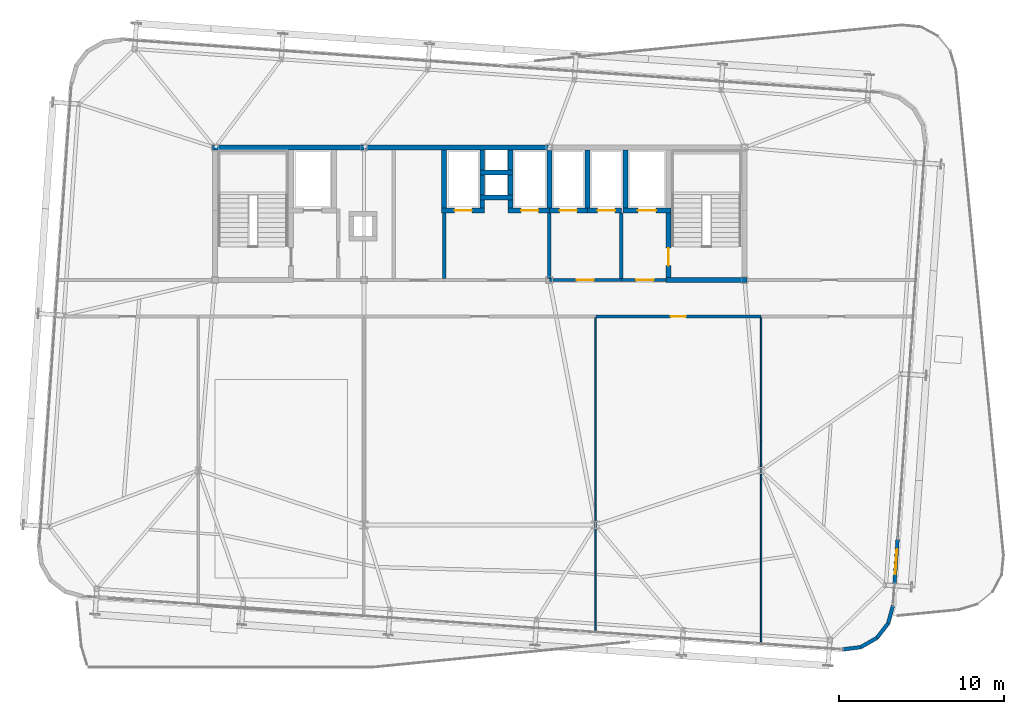
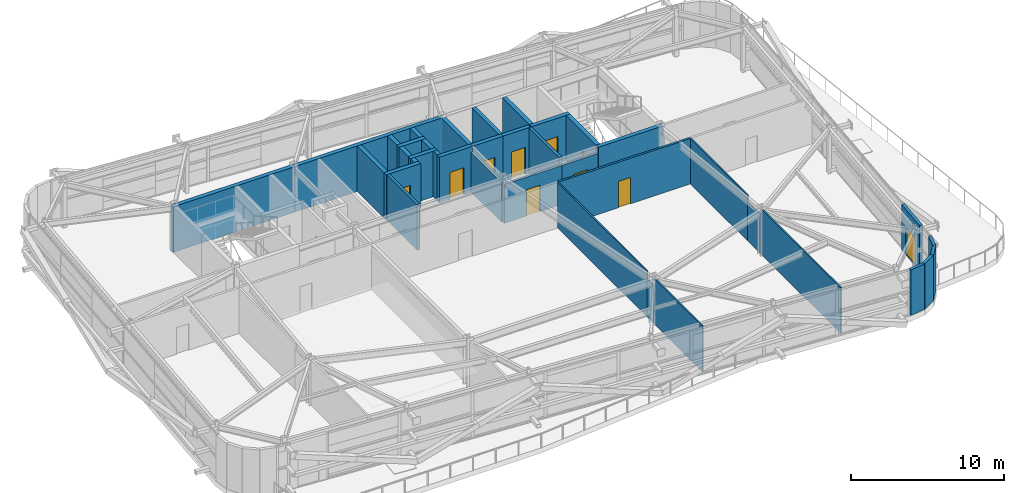
# One storey, part 32 of 36: 38 walls, 10 doors, 10 openings.
"""IFC4 building model written with IfcOpenShell, lengths in metres."""

from ifc_helpers import new_model, si_unit, direction, frame, frame_2d, origin, place, context, subcontext, project, spatial, rectangle, extrude, source, transform, mapped, material, layer, layer_set, type_object, element, fill, save


model = new_model("IFC4")

# Units and contexts
model_context = context("Model", 3, precision=1e-05, world=origin(), true_north=direction((0.0, 1.0)))
body_context = subcontext(model_context, "Body", "Model", "MODEL_VIEW")
ifc_project = project(units=[si_unit("LENGTHUNIT", "METRE"), si_unit("AREAUNIT", "SQUARE_METRE"), si_unit("VOLUMEUNIT", "CUBIC_METRE"), si_unit("PLANEANGLEUNIT", "RADIAN"), si_unit("MASSUNIT", "GRAM", prefix="KILO")], contexts=[model_context])

# Site, building, storey
site_placement = place(None, origin())
site = spatial("IfcSite", under=ifc_project, at=site_placement, CompositionType="ELEMENT")
building_placement = place(site_placement, origin())
building = spatial("IfcBuilding", under=site, at=building_placement, Name="Taldren Reach Tower", CompositionType="ELEMENT")
storey_placement = place(building_placement, frame((0.0, 0.0, 116.550048828125)))
storey = spatial("IfcBuildingStorey", under=building, at=storey_placement, Name="L35", CompositionType="ELEMENT", Elevation=116.550048828125)

# Walls
ifc_material_1 = material(Name="Pale Champagne Anodised Aluminium Cladding", Category="aluminium")
ifc_layer_1 = layer(ifc_material_1, 0.04, Name="Pale Champagne Anodised Aluminium Cladding", Category="aluminium")
ifc_material_2 = material(Name="Mineral Wool Acoustic Insulation", Category="insulation")
ifc_layer_2 = layer(ifc_material_2, 0.06, Name="Mineral Wool Acoustic Insulation", Category="insulation")
ifc_material_3 = material(Name="Steel Gr 350 (C350L0)", Category="steel")
ifc_layer_3 = layer(ifc_material_3, 0.12, Name="Steel Gr 350 (C350L0)", Category="steel")
ifc_layer_set_1 = layer_set([ifc_layer_1, ifc_layer_2, ifc_layer_3], Name="Pale Champagne Aluminium Cladding and Steel Gr 350 Stud Framing")
wall_type_1 = type_object("IfcWallType", Name="EW-CRN-220", PredefinedType="SOLIDWALL", material=ifc_layer_set_1)
shared_shape_1 = source(origin(), body_context, "Body", "SweptSolid", [
    extrude(rectangle(XDim=1.11572265625, YDim=0.219970703125, at=frame_2d((0.557861328125, 0.0))), origin(), (0.0, 0.0, 1.0), 3.6298828125),
])
wall_1_placement = place(storey_placement, frame((56.91796875, 1.6767578125, 0.0), z_axis=(0.0, 0.0, 1.0), x_axis=(0.99202678349, 0.126027222605, 0.0)))
element("IfcWall", 1, at=wall_1_placement, inside=storey, type_object=wall_type_1, Name="Rounded-corner pale-metal facade wall L35-SE1", PredefinedType="SOLIDWALL", context=body_context, shape_type="MappedRepresentation", body=[
    mapped(shared_shape_1, transform((0.0, 0.0, 0.0), scale=1.0)),
])
shared_shape_2 = source(origin(), body_context, "Body", "SweptSolid", [
    extrude(rectangle(XDim=1.115966796875, YDim=0.219970703125, at=frame_2d((0.55810546875, 0.0))), origin(), (0.0, 0.0, 1.0), 3.6298828125),
])
for number, where, z_axis, x_axis, name in (
    (2, (58.02490234375, 1.8173828125, 0.0), (0.0, 0.0, 1.0), (0.868095010314, 0.496398079235, 0.0), "Rounded-corner pale-metal facade wall L35-SE2"),
    (3, (58.99365234375, 2.371337890625, 0.0), (0.0, 0.0, 1.0), (0.612318787668, 0.790610967714, 0.0), "Rounded-corner pale-metal facade wall L35-SE3"),
    (4, (59.677001953125, 3.253662109375, 0.0), (0.0, 0.0, 1.0), (0.262969307856, 0.964804199372, 0.0), "Rounded-corner pale-metal facade wall L35-SE4"),
):
    element("IfcWall", number, at=place(storey_placement, frame(where, z_axis=z_axis, x_axis=x_axis)), inside=storey, type_object=wall_type_1, Name=name, PredefinedType="SOLIDWALL", context=body_context, shape_type="MappedRepresentation", body=[
        mapped(shared_shape_2, transform((0.0, 0.0, 0.0), scale=1.0)),
    ])

# Wall, opening, door
shared_shape_3 = source(origin(), body_context, "Body", "SweptSolid", [
    extrude(rectangle(XDim=2.699951171875, YDim=0.219970703125, at=frame_2d((1.35009765625, 0.0))), origin(), (0.0, 0.0, 1.0), 3.6298828125),
])
wall_2_placement = place(storey_placement, frame((60.061767578125, 5.636962890625, 0.0), z_axis=(0.0, 0.0, 1.0), x_axis=(0.069807531681, 0.997560478628, 0.0)))
wall_2 = element("IfcWall", 5, at=wall_2_placement, inside=storey, type_object=wall_type_1, Name="Terrace threshold facade wall L35-E1", PredefinedType="SOLIDWALL", context=body_context, shape_type="MappedRepresentation", body=[
    mapped(shared_shape_3, transform((0.0, 0.0, 0.0), scale=1.0)),
])
shared_shape_4 = source(origin(), body_context, "Body", "SweptSolid", [
    extrude(rectangle(XDim=1.5, YDim=2.199951171875, at=frame_2d((0.75, 1.10009765625))), frame((0.0, 0.1201171875, 0.0), z_axis=(0.0, -1.0, 0.0), x_axis=(1.0, 0.0, 0.0)), (0.0, 0.0, 1.0), 0.239990234375),
])
opening_1_placement = place(wall_2_placement, frame((0.60009765625, 0.0, 0.0)))
opening_1 = element("IfcOpeningElement", 6, at=opening_1_placement, cuts=wall_2, Name="Opening ED-150", PredefinedType="OPENING", context=body_context, shape_type="MappedRepresentation", body=[
    mapped(shared_shape_4, transform((0.0, 0.0, 0.0), scale=1.0)),
])
ifc_material_4 = material(Name="Weatherproof Glazed Terrace Door")
door_type_1 = type_object("IfcDoorType", Name="ED-TERR-1500", OperationType="DOUBLE_DOOR_SINGLE_SWING", PredefinedType="DOOR", material=ifc_material_4)
shared_shape_5 = source(origin(), body_context, "Body", "SweptSolid", [
    extrude(rectangle(XDim=1.5, YDim=2.199951171875, at=frame_2d((0.75, 1.10009765625))), frame((0.0, 0.02490234375, 0.0), z_axis=(0.0, -1.0, 0.0), x_axis=(1.0, 0.0, 0.0)), (0.0, 0.0, 1.0), 0.050048828125),
])
door_1_placement = place(opening_1_placement, frame((1.5, 0.0, 0.0), z_axis=(0.0, 0.0, 1.0), x_axis=(-1.0, 0.0, 0.0)))
door_1 = element("IfcDoor", 7, at=door_1_placement, inside=storey, type_object=door_type_1, Name="Setback terrace access door ED-TERR-L35-E1", OperationType="DOUBLE_DOOR_SINGLE_SWING", OverallHeight=2.199951171875, OverallWidth=1.5, PredefinedType="DOOR", context=body_context, shape_type="MappedRepresentation", body=[
    mapped(shared_shape_5, transform((0.0, 0.0, 0.0), scale=1.0)),
])
fill(opening_1, door_1)

# Walls
ifc_material_5 = material(Name="Concrete S65 (65 MPa)", Category="concrete")
ifc_layer_4 = layer(ifc_material_5, 0.300048828125)
ifc_layer_set_2 = layer_set([ifc_layer_4], Name="Concrete S65 (65 MPa)")
wall_type_2 = type_object("IfcWallType", Name="IW-CORE-300", PredefinedType="SHEAR", material=ifc_layer_set_2)
shared_shape_6 = source(origin(), body_context, "Body", "SweptSolid", [
    extrude(rectangle(XDim=9.14990234375, YDim=0.300048828125, at=frame_2d((4.574951171875, 0.0))), origin(), (0.0, 0.0, 1.0), 3.6298828125),
])
wall_3_placement = place(storey_placement, frame((18.85009765625, 32.0, 0.0), z_axis=(0.0, 0.0, 1.0), x_axis=(1.0, 0.0, 0.0)))
element("IfcWall", 8, at=wall_3_placement, inside=storey, type_object=wall_type_2, Name="Rear Core Shear Wall W-CORE-L35-NORTH1", PredefinedType="SHEAR", context=body_context, shape_type="MappedRepresentation", body=[
    mapped(shared_shape_6, transform((0.0, 0.0, 0.0), scale=1.0)),
])
shared_shape_7 = source(origin(), body_context, "Body", "SweptSolid", [
    extrude(rectangle(XDim=11.199951171875, YDim=0.300048828125, at=frame_2d((5.60009765625, 0.0))), origin(), (0.0, 0.0, 1.0), 3.6298828125),
])
wall_4_placement = place(storey_placement, frame((28.0, 32.0, 0.0), z_axis=(0.0, 0.0, 1.0), x_axis=(1.0, 0.0, 0.0)))
element("IfcWall", 9, at=wall_4_placement, inside=storey, type_object=wall_type_2, Name="Rear Core Shear Wall W-CORE-L35-NORTH2", PredefinedType="SHEAR", context=body_context, shape_type="MappedRepresentation", body=[
    mapped(shared_shape_7, transform((0.0, 0.0, 0.0), scale=1.0)),
])
shared_shape_8 = source(origin(), body_context, "Body", "SweptSolid", [
    extrude(rectangle(XDim=3.5, YDim=0.300048828125, at=frame_2d((1.75, 0.0))), origin(), (0.0, 0.0, 1.0), 3.6298828125),
])
for number, where, z_axis, x_axis, name in (
    (10, (43.800048828125, 31.85009765625, 0.0), (0.0, 0.0, 1.0), (0.0, -1.0, 0.0), "Rear Core Shear Wall W-INT-L35-012"),
    (11, (32.85009765625, 31.85009765625, 0.0), (0.0, 0.0, 1.0), (0.0, -1.0, 0.0), "Rear Core Shear Wall W-INT-L35-027"),
    (12, (39.199951171875, 28.35009765625, 0.0), (0.0, 0.0, 1.0), (0.0, 1.0, 0.0), "Rear Core Shear Wall W-INT-L35-030"),
    (13, (41.5, 28.35009765625, 0.0), (0.0, 0.0, 1.0), (0.0, 1.0, 0.0), "Rear Core Shear Wall W-INT-L35-034"),
):
    element("IfcWall", number, at=place(storey_placement, frame(where, z_axis=z_axis, x_axis=x_axis)), inside=storey, type_object=wall_type_2, Name=name, PredefinedType="SHEAR", context=body_context, shape_type="MappedRepresentation", body=[
        mapped(shared_shape_8, transform((0.0, 0.0, 0.0), scale=1.0)),
    ])

# Wall, opening, door
shared_shape_9 = source(origin(), body_context, "Body", "SweptSolid", [
    extrude(rectangle(XDim=3.900146484375, YDim=0.300048828125, at=frame_2d((1.9501953125, 0.0))), origin(), (0.0, 0.0, 1.0), 3.6298828125),
])
wall_5_placement = place(storey_placement, frame((46.39990234375, 28.050048828125, 0.0), z_axis=(0.0, 0.0, 1.0), x_axis=(0.0, -1.0, 0.0)))
wall_5 = element("IfcWall", 14, at=wall_5_placement, inside=storey, type_object=wall_type_2, Name="Rear Core Shear Wall W-INT-L35-009", PredefinedType="SHEAR", context=body_context, shape_type="MappedRepresentation", body=[
    mapped(shared_shape_9, transform((0.0, 0.0, 0.0), scale=1.0)),
])
shared_shape_10 = source(origin(), body_context, "Body", "SweptSolid", [
    extrude(rectangle(XDim=1.050048828125, YDim=2.10009765625, at=frame_2d((0.52490234375, 1.050048828125))), frame((0.0, 0.16015625, 0.0), z_axis=(0.0, -1.0, 0.0), x_axis=(1.0, 0.0, 0.0)), (0.0, 0.0, 1.0), 0.320068359375),
])
opening_2_placement = place(wall_5_placement, frame((2.125, 0.0, 0.0)))
opening_2 = element("IfcOpeningElement", 15, at=opening_2_placement, cuts=wall_5, Name="Opening DF-105", PredefinedType="OPENING", context=body_context, shape_type="MappedRepresentation", body=[
    mapped(shared_shape_10, transform((0.0, 0.0, 0.0), scale=1.0)),
])
ifc_material_6 = material(Name="Fire-Rated Care and Stair Exit Door")
door_type_2 = type_object("IfcDoorType", Name="ID-FIRE-105", OperationType="NOTDEFINED", PredefinedType="DOOR", material=ifc_material_6)
shared_shape_11 = source(origin(), body_context, "Body", "SweptSolid", [
    extrude(rectangle(XDim=1.050048828125, YDim=2.10009765625, at=frame_2d((0.52490234375, 1.050048828125))), frame((0.0, 0.02490234375, 0.0), z_axis=(0.0, -1.0, 0.0), x_axis=(1.0, 0.0, 0.0)), (0.0, 0.0, 1.0), 0.050048828125),
])
door_2_placement = place(opening_2_placement, origin())
door_2 = element("IfcDoor", 16, at=door_2_placement, inside=storey, type_object=door_type_2, Name="Fire Exit Stair Door DR-L35-003", OperationType="SINGLE_SWING_RIGHT", OverallHeight=2.10009765625, OverallWidth=1.050048828125, PredefinedType="DOOR", context=body_context, shape_type="MappedRepresentation", body=[
    mapped(shared_shape_11, transform((0.0, 0.0, 0.0), scale=1.0)),
])
fill(opening_2, door_2)

# Wall
shared_shape_12 = source(origin(), body_context, "Body", "SweptSolid", [
    extrude(rectangle(XDim=4.89990234375, YDim=0.300048828125, at=frame_2d((2.449951171875, 0.0))), origin(), (0.0, 0.0, 1.0), 3.6298828125),
])
wall_6_placement = place(storey_placement, frame((46.25, 24.0, 0.0), z_axis=(0.0, 0.0, 1.0), x_axis=(1.0, 0.0, 0.0)))
element("IfcWall", 17, at=wall_6_placement, inside=storey, type_object=wall_type_2, Name="Rear Core Shear Wall W-INT-L35-010", PredefinedType="SHEAR", context=body_context, shape_type="MappedRepresentation", body=[
    mapped(shared_shape_12, transform((0.0, 0.0, 0.0), scale=1.0)),
])

# Wall, opening, door
shared_shape_13 = source(origin(), body_context, "Body", "SweptSolid", [
    extrude(rectangle(XDim=2.900146484375, YDim=0.300048828125, at=frame_2d((1.4501953125, 0.0))), origin(), (0.0, 0.0, 1.0), 3.6298828125),
])
wall_7_placement = place(storey_placement, frame((43.64990234375, 28.199951171875, 0.0), z_axis=(0.0, 0.0, 1.0), x_axis=(1.0, 0.0, 0.0)))
wall_7 = element("IfcWall", 18, at=wall_7_placement, inside=storey, type_object=wall_type_2, Name="Rear Core Shear Wall W-INT-L35-011", PredefinedType="SHEAR", context=body_context, shape_type="MappedRepresentation", body=[
    mapped(shared_shape_13, transform((0.0, 0.0, 0.0), scale=1.0)),
])
shared_shape_14 = source(origin(), body_context, "Body", "SweptSolid", [
    extrude(rectangle(XDim=1.10009765625, YDim=2.14990234375, at=frame_2d((0.550048828125, 1.074951171875))), frame((0.0, 0.16015625, 0.0), z_axis=(0.0, -1.0, 0.0), x_axis=(1.0, 0.0, 0.0)), (0.0, 0.0, 1.0), 0.320068359375),
])
opening_3_placement = place(wall_7_placement, frame((0.89990234375, 0.0, 0.0)))
opening_3 = element("IfcOpeningElement", 19, at=opening_3_placement, cuts=wall_7, Name="Opening LD-FL2", PredefinedType="OPENING", context=body_context, shape_type="MappedRepresentation", body=[
    mapped(shared_shape_14, transform((0.0, 0.0, 0.0), scale=1.0)),
])
ifc_material_7 = material(Name="Stainless Steel Gr 316 Emergency Lift Landing Door", Category="steel")
door_type_3 = type_object("IfcDoorType", Name="LD-EMG-110", OperationType="SLIDING_TO_LEFT", PredefinedType="DOOR", material=ifc_material_7)
shared_shape_15 = source(origin(), body_context, "Body", "SweptSolid", [
    extrude(rectangle(XDim=1.10009765625, YDim=2.14990234375, at=frame_2d((0.550048828125, 1.074951171875))), frame((0.0, 0.02490234375, 0.0), z_axis=(0.0, -1.0, 0.0), x_axis=(1.0, 0.0, 0.0)), (0.0, 0.0, 1.0), 0.050048828125),
])
door_3_placement = place(opening_3_placement, origin())
door_3 = element("IfcDoor", 20, at=door_3_placement, inside=storey, type_object=door_type_3, Name="Lift Landing Door LD-FL2-L35", OperationType="SLIDING_TO_LEFT", OverallHeight=2.14990234375, OverallWidth=1.10009765625, PredefinedType="DOOR", context=body_context, shape_type="MappedRepresentation", body=[
    mapped(shared_shape_15, transform((0.0, 0.0, 0.0), scale=1.0)),
])
fill(opening_3, door_3)

# Walls
ifc_material_8 = material(Name="Concrete S50 (50 MPa)", Category="concrete")
ifc_layer_5 = layer(ifc_material_8, 0.199951171875)
ifc_layer_set_3 = layer_set([ifc_layer_5], Name="Concrete S50 (50 MPa)")
wall_type_3 = type_object("IfcWallType", Name="IW-CORE-200", PredefinedType="SOLIDWALL", material=ifc_layer_set_3)
shared_shape_16 = source(origin(), body_context, "Body", "SweptSolid", [
    extrude(rectangle(XDim=3.949951171875, YDim=0.199951171875, at=frame_2d((1.97509765625, 0.0))), origin(), (0.0, 0.0, 1.0), 3.6298828125),
])
for number, where, z_axis, x_axis, name in (
    (21, (43.550048828125, 28.050048828125, 0.0), (0.0, 0.0, 1.0), (0.0, -1.0, 0.0), "Rear Core Shear Wall W-INT-L35-013"),
    (22, (32.85009765625, 24.10009765625, 0.0), (0.0, 0.0, 1.0), (0.0, 1.0, 0.0), "Rear Core Shear Wall W-INT-L35-032"),
):
    element("IfcWall", number, at=place(storey_placement, frame(where, z_axis=z_axis, x_axis=x_axis)), inside=storey, type_object=wall_type_3, Name=name, PredefinedType="SOLIDWALL", context=body_context, shape_type="MappedRepresentation", body=[
        mapped(shared_shape_16, transform((0.0, 0.0, 0.0), scale=1.0)),
    ])

# Wall, opening, door
shared_shape_17 = source(origin(), body_context, "Body", "SweptSolid", [
    extrude(rectangle(XDim=2.699951171875, YDim=0.199951171875, at=frame_2d((1.35009765625, 0.0))), origin(), (0.0, 0.0, 1.0), 3.096923828125),
])
wall_8_placement = place(storey_placement, frame((43.550048828125, 24.0, 0.0), z_axis=(0.0, 0.0, 1.0), x_axis=(1.0, 0.0, 0.0)))
wall_8 = element("IfcWall", 23, at=wall_8_placement, inside=storey, type_object=wall_type_3, Name="Rear Core Shear Wall W-INT-L35-014", PredefinedType="SOLIDWALL", context=body_context, shape_type="MappedRepresentation", body=[
    mapped(shared_shape_17, transform((0.0, 0.0, 0.0), scale=1.0)),
])
shared_shape_18 = source(origin(), body_context, "Body", "SweptSolid", [
    extrude(rectangle(XDim=1.050048828125, YDim=2.10009765625, at=frame_2d((0.52490234375, 1.050048828125))), frame((0.0, 0.10986328125, 0.0), z_axis=(0.0, -1.0, 0.0), x_axis=(1.0, 0.0, 0.0)), (0.0, 0.0, 1.0), 0.219970703125),
])
opening_4_placement = place(wall_8_placement, frame((0.89990234375, 0.0, 0.0)))
opening_4 = element("IfcOpeningElement", 24, at=opening_4_placement, cuts=wall_8, Name="Opening DF-105", PredefinedType="OPENING", context=body_context, shape_type="MappedRepresentation", body=[
    mapped(shared_shape_18, transform((0.0, 0.0, 0.0), scale=1.0)),
])
door_4_placement = place(opening_4_placement, origin())
door_4 = element("IfcDoor", 25, at=door_4_placement, inside=storey, type_object=door_type_2, Name="Interior Door DR-L35-004", OperationType="SINGLE_SWING_LEFT", OverallHeight=2.10009765625, OverallWidth=1.050048828125, PredefinedType="DOOR", context=body_context, shape_type="MappedRepresentation", body=[
    mapped(shared_shape_11, transform((0.0, 0.0, 0.0), scale=1.0)),
])
fill(opening_4, door_4)

# Walls
shared_shape_19 = source(origin(), body_context, "Body", "SweptSolid", [
    extrude(rectangle(XDim=2.0, YDim=0.300048828125, at=frame_2d((1.0, 0.0))), origin(), (0.0, 0.0, 1.0), 3.6298828125),
])
for number, where, z_axis, x_axis, name in (
    (26, (35.0, 30.5, 0.0), (0.0, 0.0, 1.0), (1.0, 0.0, 0.0), "Rear Core Shear Wall W-INT-L35-015"),
    (27, (35.0, 29.0, 0.0), (0.0, 0.0, 1.0), (1.0, 0.0, 0.0), "Rear Core Shear Wall W-INT-L35-020"),
):
    element("IfcWall", number, at=place(storey_placement, frame(where, z_axis=z_axis, x_axis=x_axis)), inside=storey, type_object=wall_type_2, Name=name, PredefinedType="SHEAR", context=body_context, shape_type="MappedRepresentation", body=[
        mapped(shared_shape_19, transform((0.0, 0.0, 0.0), scale=1.0)),
    ])
shared_shape_20 = source(origin(), body_context, "Body", "SweptSolid", [
    extrude(rectangle(XDim=1.2001953125, YDim=0.300048828125, at=frame_2d((0.60009765625, 0.0))), origin(), (0.0, 0.0, 1.0), 3.6298828125),
])
for number, where, z_axis, x_axis, name in (
    (28, (35.14990234375, 31.85009765625, 0.0), (0.0, 0.0, 1.0), (0.0, -1.0, 0.0), "Rear Core Shear Wall W-INT-L35-016"),
    (29, (36.85009765625, 30.64990234375, 0.0), (0.0, 0.0, 1.0), (0.0, 1.0, 0.0), "Rear Core Shear Wall W-INT-L35-017"),
    (30, (35.14990234375, 30.35009765625, 0.0), (0.0, 0.0, 1.0), (0.0, -1.0, 0.0), "Rear Core Shear Wall W-INT-L35-018"),
    (31, (36.85009765625, 29.14990234375, 0.0), (0.0, 0.0, 1.0), (0.0, 1.0, 0.0), "Rear Core Shear Wall W-INT-L35-019"),
):
    element("IfcWall", number, at=place(storey_placement, frame(where, z_axis=z_axis, x_axis=x_axis)), inside=storey, type_object=wall_type_2, Name=name, PredefinedType="SHEAR", context=body_context, shape_type="MappedRepresentation", body=[
        mapped(shared_shape_20, transform((0.0, 0.0, 0.0), scale=1.0)),
    ])

# Wall, opening, door
shared_shape_21 = source(origin(), body_context, "Body", "SweptSolid", [
    extrude(rectangle(XDim=2.60009765625, YDim=0.300048828125, at=frame_2d((1.300048828125, 0.0))), origin(), (0.0, 0.0, 1.0), 3.6298828125),
])
wall_9_placement = place(storey_placement, frame((32.699951171875, 28.199951171875, 0.0), z_axis=(0.0, 0.0, 1.0), x_axis=(1.0, 0.0, 0.0)))
wall_9 = element("IfcWall", 32, at=wall_9_placement, inside=storey, type_object=wall_type_2, Name="Rear Core Shear Wall W-INT-L35-025", PredefinedType="SHEAR", context=body_context, shape_type="MappedRepresentation", body=[
    mapped(shared_shape_21, transform((0.0, 0.0, 0.0), scale=1.0)),
])
shared_shape_22 = source(origin(), body_context, "Body", "SweptSolid", [
    extrude(rectangle(XDim=1.050048828125, YDim=2.14990234375, at=frame_2d((0.52490234375, 1.074951171875))), frame((0.0, 0.16015625, 0.0), z_axis=(0.0, -1.0, 0.0), x_axis=(1.0, 0.0, 0.0)), (0.0, 0.0, 1.0), 0.320068359375),
])
opening_5_placement = place(wall_9_placement, frame((0.77490234375, 0.0, 0.0)))
opening_5 = element("IfcOpeningElement", 33, at=opening_5_placement, cuts=wall_9, Name="Opening LD-PM1", PredefinedType="OPENING", context=body_context, shape_type="MappedRepresentation", body=[
    mapped(shared_shape_22, transform((0.0, 0.0, 0.0), scale=1.0)),
])
ifc_material_9 = material(Name="Stainless Steel Gr 316 Passenger Lift Landing Door", Category="steel")
door_type_4 = type_object("IfcDoorType", Name="LD-PAS-105", OperationType="SLIDING_TO_LEFT", PredefinedType="DOOR", material=ifc_material_9)
shared_shape_23 = source(origin(), body_context, "Body", "SweptSolid", [
    extrude(rectangle(XDim=1.050048828125, YDim=2.14990234375, at=frame_2d((0.52490234375, 1.074951171875))), frame((0.0, 0.02490234375, 0.0), z_axis=(0.0, -1.0, 0.0), x_axis=(1.0, 0.0, 0.0)), (0.0, 0.0, 1.0), 0.050048828125),
])
door_5_placement = place(opening_5_placement, origin())
door_5 = element("IfcDoor", 34, at=door_5_placement, inside=storey, type_object=door_type_4, Name="Lift Landing Door LD-PM1-L35", OperationType="SLIDING_TO_LEFT", OverallHeight=2.14990234375, OverallWidth=1.050048828125, PredefinedType="DOOR", context=body_context, shape_type="MappedRepresentation", body=[
    mapped(shared_shape_23, transform((0.0, 0.0, 0.0), scale=1.0)),
])
fill(opening_5, door_5)

# Walls
shared_shape_24 = source(origin(), body_context, "Body", "SweptSolid", [
    extrude(rectangle(XDim=0.5, YDim=0.300048828125, at=frame_2d((0.25, 0.0))), origin(), (0.0, 0.0, 1.0), 3.6298828125),
])
for number, where, z_axis, x_axis, name in (
    (35, (35.14990234375, 28.35009765625, 0.0), (0.0, 0.0, 1.0), (0.0, 1.0, 0.0), "Rear Core Shear Wall W-INT-L35-026"),
    (36, (36.85009765625, 28.85009765625, 0.0), (0.0, 0.0, 1.0), (0.0, -1.0, 0.0), "Rear Core Shear Wall W-INT-L35-029"),
):
    element("IfcWall", number, at=place(storey_placement, frame(where, z_axis=z_axis, x_axis=x_axis)), inside=storey, type_object=wall_type_2, Name=name, PredefinedType="SHEAR", context=body_context, shape_type="MappedRepresentation", body=[
        mapped(shared_shape_24, transform((0.0, 0.0, 0.0), scale=1.0)),
    ])

# Wall, opening, door
shared_shape_25 = source(origin(), body_context, "Body", "SweptSolid", [
    extrude(rectangle(XDim=2.5, YDim=0.300048828125, at=frame_2d((1.25, 0.0))), origin(), (0.0, 0.0, 1.0), 3.6298828125),
])
wall_10_placement = place(storey_placement, frame((36.699951171875, 28.199951171875, 0.0), z_axis=(0.0, 0.0, 1.0), x_axis=(1.0, 0.0, 0.0)))
wall_10 = element("IfcWall", 37, at=wall_10_placement, inside=storey, type_object=wall_type_2, Name="Rear Core Shear Wall W-INT-L35-028", PredefinedType="SHEAR", context=body_context, shape_type="MappedRepresentation", body=[
    mapped(shared_shape_25, transform((0.0, 0.0, 0.0), scale=1.0)),
])
opening_6_placement = place(wall_10_placement, frame((0.794921875, 0.0, 0.0)))
opening_6 = element("IfcOpeningElement", 38, at=opening_6_placement, cuts=wall_10, Name="Opening LD-PM2", PredefinedType="OPENING", context=body_context, shape_type="MappedRepresentation", body=[
    mapped(shared_shape_22, transform((0.0, 0.0, 0.0), scale=1.0)),
])
door_6_placement = place(opening_6_placement, origin())
door_6 = element("IfcDoor", 39, at=door_6_placement, inside=storey, type_object=door_type_4, Name="Lift Landing Door LD-PM2-L35", OperationType="SLIDING_TO_LEFT", OverallHeight=2.14990234375, OverallWidth=1.050048828125, PredefinedType="DOOR", context=body_context, shape_type="MappedRepresentation", body=[
    mapped(shared_shape_23, transform((0.0, 0.0, 0.0), scale=1.0)),
])
fill(opening_6, door_6)

# Wall
shared_shape_26 = source(origin(), body_context, "Body", "SweptSolid", [
    extrude(rectangle(XDim=3.949951171875, YDim=0.199951171875, at=frame_2d((1.97509765625, 0.0))), origin(), (0.0, 0.0, 1.0), 3.169921875),
])
wall_11_placement = place(storey_placement, frame((39.199951171875, 28.050048828125, 0.0), z_axis=(0.0, 0.0, 1.0), x_axis=(0.0, -1.0, 0.0)))
element("IfcWall", 40, at=wall_11_placement, inside=storey, type_object=wall_type_3, Name="Rear Core Shear Wall W-INT-L35-031", PredefinedType="SOLIDWALL", context=body_context, shape_type="MappedRepresentation", body=[
    mapped(shared_shape_26, transform((0.0, 0.0, 0.0), scale=1.0)),
])

# Wall, opening, door
shared_shape_27 = source(origin(), body_context, "Body", "SweptSolid", [
    extrude(rectangle(XDim=2.300048828125, YDim=0.300048828125, at=frame_2d((1.14990234375, 0.0))), origin(), (0.0, 0.0, 1.0), 3.6298828125),
])
wall_12_placement = place(storey_placement, frame((39.199951171875, 28.199951171875, 0.0), z_axis=(0.0, 0.0, 1.0), x_axis=(1.0, 0.0, 0.0)))
wall_12 = element("IfcWall", 41, at=wall_12_placement, inside=storey, type_object=wall_type_2, Name="Rear Core Shear Wall W-INT-L35-035", PredefinedType="SHEAR", context=body_context, shape_type="MappedRepresentation", body=[
    mapped(shared_shape_27, transform((0.0, 0.0, 0.0), scale=1.0)),
])
opening_7_placement = place(wall_12_placement, frame((0.625, 0.0, 0.0)))
opening_7 = element("IfcOpeningElement", 42, at=opening_7_placement, cuts=wall_12, Name="Opening LD-PH1", PredefinedType="OPENING", context=body_context, shape_type="MappedRepresentation", body=[
    mapped(shared_shape_22, transform((0.0, 0.0, 0.0), scale=1.0)),
])
door_7_placement = place(opening_7_placement, origin())
door_7 = element("IfcDoor", 43, at=door_7_placement, inside=storey, type_object=door_type_4, Name="Lift Landing Door LD-PH1-L35", OperationType="SLIDING_TO_LEFT", OverallHeight=2.14990234375, OverallWidth=1.050048828125, PredefinedType="DOOR", context=body_context, shape_type="MappedRepresentation", body=[
    mapped(shared_shape_23, transform((0.0, 0.0, 0.0), scale=1.0)),
])
fill(opening_7, door_7)

shared_shape_28 = source(origin(), body_context, "Body", "SweptSolid", [
    extrude(rectangle(XDim=2.070068359375, YDim=0.300048828125, at=frame_2d((1.03515625, 0.0))), origin(), (0.0, 0.0, 1.0), 3.6298828125),
])
wall_13_placement = place(storey_placement, frame((41.5, 28.199951171875, 0.0), z_axis=(0.0, 0.0, 1.0), x_axis=(1.0, 0.0, 0.0)))
wall_13 = element("IfcWall", 44, at=wall_13_placement, inside=storey, type_object=wall_type_2, Name="Rear Core Shear Wall W-INT-L35-036", PredefinedType="SHEAR", context=body_context, shape_type="MappedRepresentation", body=[
    mapped(shared_shape_28, transform((0.0, 0.0, 0.0), scale=1.0)),
])
opening_8_placement = place(wall_13_placement, frame((0.625, 0.0, 0.0)))
opening_8 = element("IfcOpeningElement", 45, at=opening_8_placement, cuts=wall_13, Name="Opening LD-PH2", PredefinedType="OPENING", context=body_context, shape_type="MappedRepresentation", body=[
    mapped(shared_shape_22, transform((0.0, 0.0, 0.0), scale=1.0)),
])
door_8_placement = place(opening_8_placement, origin())
door_8 = element("IfcDoor", 46, at=door_8_placement, inside=storey, type_object=door_type_4, Name="Lift Landing Door LD-PH2-L35", OperationType="SLIDING_TO_LEFT", OverallHeight=2.14990234375, OverallWidth=1.050048828125, PredefinedType="DOOR", context=body_context, shape_type="MappedRepresentation", body=[
    mapped(shared_shape_23, transform((0.0, 0.0, 0.0), scale=1.0)),
])
fill(opening_8, door_8)

shared_shape_29 = source(origin(), body_context, "Body", "SweptSolid", [
    extrude(rectangle(XDim=4.35009765625, YDim=0.199951171875, at=frame_2d((2.175048828125, 0.0))), origin(), (0.0, 0.0, 1.0), 3.096923828125),
])
wall_14_placement = place(storey_placement, frame((43.550048828125, 24.0, 0.0), z_axis=(0.0, 0.0, 1.0), x_axis=(-1.0, 0.0, 0.0)))
wall_14 = element("IfcWall", 47, at=wall_14_placement, inside=storey, type_object=wall_type_3, Name="Rear Core Shear Wall W-INT-L35-037", PredefinedType="SOLIDWALL", context=body_context, shape_type="MappedRepresentation", body=[
    mapped(shared_shape_29, transform((0.0, 0.0, 0.0), scale=1.0)),
])
opening_9_placement = place(wall_14_placement, frame((1.64990234375, 0.0, 0.0)))
opening_9 = element("IfcOpeningElement", 48, at=opening_9_placement, cuts=wall_14, Name="Opening DF-105", PredefinedType="OPENING", context=body_context, shape_type="MappedRepresentation", body=[
    mapped(shared_shape_18, transform((0.0, 0.0, 0.0), scale=1.0)),
])
door_9_placement = place(opening_9_placement, frame((1.050048828125, 0.0, 0.0), z_axis=(0.0, 0.0, 1.0), x_axis=(-1.0, 0.0, 0.0)))
door_9 = element("IfcDoor", 49, at=door_9_placement, inside=storey, type_object=door_type_2, Name="Interior Door DR-L35-006", OperationType="SINGLE_SWING_RIGHT", OverallHeight=2.10009765625, OverallWidth=1.050048828125, PredefinedType="DOOR", context=body_context, shape_type="MappedRepresentation", body=[
    mapped(shared_shape_11, transform((0.0, 0.0, 0.0), scale=1.0)),
])
fill(opening_9, door_9)

ifc_material_10 = material(Name="Fire-Rated Acoustic Plasterboard Stud Wall", Category="gypsum")
ifc_layer_6 = layer(ifc_material_10, 0.159912109375)
ifc_layer_set_4 = layer_set([ifc_layer_6], Name="Fire-Rated Acoustic Plasterboard Stud Wall")
wall_type_4 = type_object("IfcWallType", Name="IW-FIRE-160", PredefinedType="PARTITIONING", material=ifc_layer_set_4)
shared_shape_30 = source(origin(), body_context, "Body", "SweptSolid", [
    extrude(rectangle(XDim=9.95947265625, YDim=0.159912109375, at=frame_2d((4.979736328125, 0.0))), origin(), (0.0, 0.0, 1.0), 3.6298828125),
])
wall_15_placement = place(storey_placement, frame((51.979736328125, 21.800048828125, 0.0), z_axis=(0.0, 0.0, 1.0), x_axis=(-1.0, 0.0, 0.0)))
wall_15 = element("IfcWall", 50, at=wall_15_placement, inside=storey, type_object=wall_type_4, Name="Interior Partition Wall W-INT-L35-044", PredefinedType="PARTITIONING", context=body_context, shape_type="MappedRepresentation", body=[
    mapped(shared_shape_30, transform((0.0, 0.0, 0.0), scale=1.0)),
])
shared_shape_31 = source(origin(), body_context, "Body", "SweptSolid", [
    extrude(rectangle(XDim=0.919921875, YDim=2.10009765625, at=frame_2d((0.4599609375, 1.050048828125))), frame((0.0, 0.08984375, 0.0), z_axis=(0.0, -1.0, 0.0), x_axis=(1.0, 0.0, 0.0)), (0.0, 0.0, 1.0), 0.179931640625),
])
opening_10_placement = place(wall_15_placement, frame((4.519775390625, 0.0, 0.0)))
opening_10 = element("IfcOpeningElement", 51, at=opening_10_placement, cuts=wall_15, Name="Opening DI-092", PredefinedType="OPENING", context=body_context, shape_type="MappedRepresentation", body=[
    mapped(shared_shape_31, transform((0.0, 0.0, 0.0), scale=1.0)),
])
ifc_material_11 = material(Name="Solid-Core Timber Suite Door", Category="wood")
door_type_5 = type_object("IfcDoorType", Name="ID-INT-092", OperationType="NOTDEFINED", PredefinedType="DOOR", material=ifc_material_11)
shared_shape_32 = source(origin(), body_context, "Body", "SweptSolid", [
    extrude(rectangle(XDim=0.919921875, YDim=2.10009765625, at=frame_2d((0.4599609375, 1.050048828125))), frame((0.0, 0.02490234375, 0.0), z_axis=(0.0, -1.0, 0.0), x_axis=(1.0, 0.0, 0.0)), (0.0, 0.0, 1.0), 0.050048828125),
])
door_10_placement = place(opening_10_placement, origin())
door_10 = element("IfcDoor", 52, at=door_10_placement, inside=storey, type_object=door_type_5, Name="Interior Door DR-L35-011", OperationType="SINGLE_SWING_RIGHT", OverallHeight=2.10009765625, OverallWidth=0.919921875, PredefinedType="DOOR", context=body_context, shape_type="MappedRepresentation", body=[
    mapped(shared_shape_32, transform((0.0, 0.0, 0.0), scale=1.0)),
])
fill(opening_10, door_10)

# Walls
ifc_material_12 = material(Name="Acoustic Operable Folding Partition", Category="metal")
ifc_layer_7 = layer(ifc_material_12, 0.10009765625)
ifc_layer_set_5 = layer_set([ifc_layer_7], Name="Acoustic Operable Folding Partition")
wall_type_5 = type_object("IfcWallType", Name="IW-MOV-100", PredefinedType="MOVABLE", material=ifc_layer_set_5)
shared_shape_33 = source(origin(), body_context, "Body", "SweptSolid", [
    extrude(rectangle(XDim=11.640380859375, YDim=0.10009765625, at=frame_2d((5.8203125, 0.0))), origin(), (0.0, 0.0, 1.0), 3.6298828125),
])
wall_16_placement = place(storey_placement, frame((42.0, 21.718017578125, 0.0), z_axis=(0.0, 0.0, 1.0), x_axis=(0.0, -1.0, 0.0)))
element("IfcWall", 53, at=wall_16_placement, inside=storey, type_object=wall_type_5, Name="Interior Partition Wall W-INT-L35-050", PredefinedType="MOVABLE", context=body_context, shape_type="MappedRepresentation", body=[
    mapped(shared_shape_33, transform((0.0, 0.0, 0.0), scale=1.0)),
])
shared_shape_34 = source(origin(), body_context, "Body", "SweptSolid", [
    extrude(rectangle(XDim=0.88720703125, YDim=0.10009765625, at=frame_2d((0.443603515625, 0.0))), origin(), (0.0, 0.0, 1.0), 3.02783203125),
])
wall_17_placement = place(storey_placement, frame((42.0, 10.07763671875, 0.0), z_axis=(0.0, 0.0, 1.0), x_axis=(0.0, -1.0, 0.0)))
element("IfcWall", 54, at=wall_17_placement, inside=storey, type_object=wall_type_5, Name="Interior Partition Wall W-INT-L35-050 part 2", PredefinedType="MOVABLE", context=body_context, shape_type="MappedRepresentation", body=[
    mapped(shared_shape_34, transform((0.0, 0.0, 0.0), scale=1.0)),
])
shared_shape_35 = source(origin(), body_context, "Body", "SweptSolid", [
    extrude(rectangle(XDim=6.372802734375, YDim=0.10009765625, at=frame_2d((3.1865234375, 0.0))), origin(), (0.0, 0.0, 1.0), 3.6298828125),
])
wall_18_placement = place(storey_placement, frame((42.0, 9.1904296875, 0.0), z_axis=(0.0, 0.0, 1.0), x_axis=(0.0, -1.0, 0.0)))
element("IfcWall", 55, at=wall_18_placement, inside=storey, type_object=wall_type_5, Name="Interior Partition Wall W-INT-L35-050 part 3", PredefinedType="MOVABLE", context=body_context, shape_type="MappedRepresentation", body=[
    mapped(shared_shape_35, transform((0.0, 0.0, 0.0), scale=1.0)),
])
shared_shape_36 = source(origin(), body_context, "Body", "SweptSolid", [
    extrude(rectangle(XDim=7.436767578125, YDim=0.10009765625, at=frame_2d((3.71826171875, 0.0))), origin(), (0.0, 0.0, 1.0), 3.6298828125),
])
wall_19_placement = place(storey_placement, frame((52.0, 21.718017578125, 0.0), z_axis=(0.0, 0.0, 1.0), x_axis=(0.0, -1.0, 0.0)))
element("IfcWall", 56, at=wall_19_placement, inside=storey, type_object=wall_type_5, Name="Interior Partition Wall W-INT-L35-051", PredefinedType="MOVABLE", context=body_context, shape_type="MappedRepresentation", body=[
    mapped(shared_shape_36, transform((0.0, 0.0, 0.0), scale=1.0)),
])
shared_shape_37 = source(origin(), body_context, "Body", "SweptSolid", [
    extrude(rectangle(XDim=1.78564453125, YDim=0.10009765625, at=frame_2d((0.892822265625, 0.0))), origin(), (0.0, 0.0, 1.0), 3.096923828125),
])
wall_20_placement = place(storey_placement, frame((52.0, 14.28125, 0.0), z_axis=(0.0, 0.0, 1.0), x_axis=(0.0, -1.0, 0.0)))
element("IfcWall", 57, at=wall_20_placement, inside=storey, type_object=wall_type_5, Name="Interior Partition Wall W-INT-L35-051 part 2", PredefinedType="MOVABLE", context=body_context, shape_type="MappedRepresentation", body=[
    mapped(shared_shape_37, transform((0.0, 0.0, 0.0), scale=1.0)),
])
shared_shape_38 = source(origin(), body_context, "Body", "SweptSolid", [
    extrude(rectangle(XDim=10.377197265625, YDim=0.10009765625, at=frame_2d((5.1884765625, 0.0))), origin(), (0.0, 0.0, 1.0), 3.6298828125),
])
wall_21_placement = place(storey_placement, frame((52.0, 12.49560546875, 0.0), z_axis=(0.0, 0.0, 1.0), x_axis=(0.0, -1.0, 0.0)))
element("IfcWall", 58, at=wall_21_placement, inside=storey, type_object=wall_type_5, Name="Interior Partition Wall W-INT-L35-051 part 3", PredefinedType="MOVABLE", context=body_context, shape_type="MappedRepresentation", body=[
    mapped(shared_shape_38, transform((0.0, 0.0, 0.0), scale=1.0)),
])

save(model, "model.ifc")
